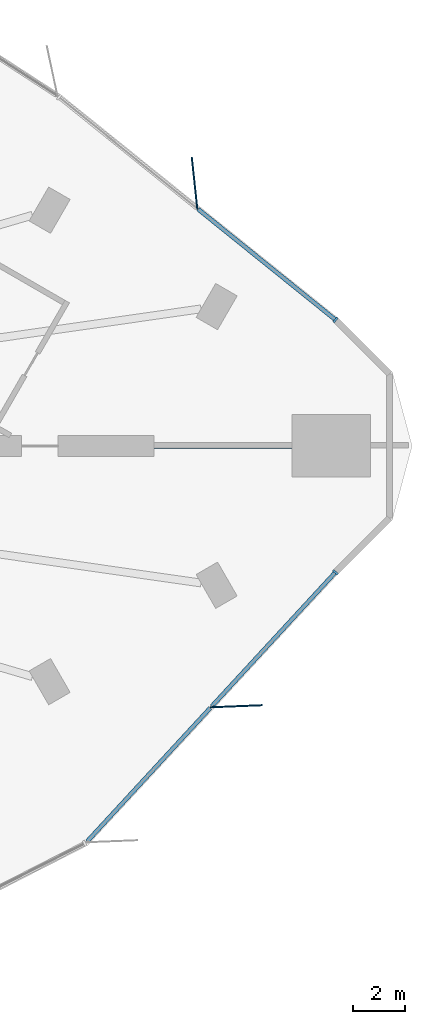
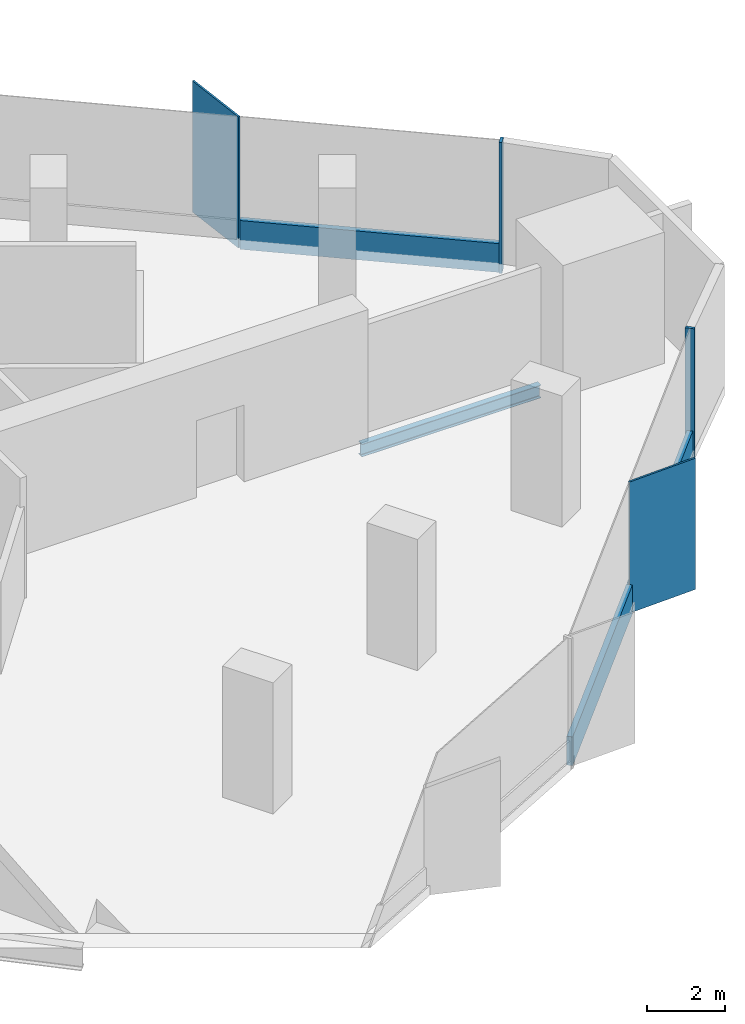
# One storey, part 6 of 14: 7 members, 1 beam, 2 elements without a shape of their own.
"""IFC4 building model written with IfcOpenShell, lengths in metres."""

from ifc_helpers import new_model, si_unit, direction, frame, origin, origin_2d, place, context, subcontext, project, spatial, rectangle, i_section, extrude, material, material_profile, profile_set, type_object, element, aggregate, save


model = new_model("IFC4")

# Units and contexts
model_context = context("Model", 3, precision=1e-05, world=origin(), true_north=direction((0.0, 1.0)))
body_context = subcontext(model_context, "Body", "Model", "MODEL_VIEW")
ifc_project = project(units=[si_unit("LENGTHUNIT", "METRE"), si_unit("AREAUNIT", "SQUARE_METRE"), si_unit("VOLUMEUNIT", "CUBIC_METRE"), si_unit("PLANEANGLEUNIT", "RADIAN"), si_unit("MASSUNIT", "GRAM", prefix="KILO")], contexts=[model_context])

# Site, building, storey
site_placement = place(None, origin())
site = spatial("IfcSite", under=ifc_project, at=site_placement, CompositionType="ELEMENT")
building_placement = place(site_placement, origin())
building = spatial("IfcBuilding", under=site, at=building_placement, Name="Tanit Gate Tower", CompositionType="ELEMENT")
storey_placement = place(building_placement, frame((0.0, 0.0, 78.300048828125)))
storey = spatial("IfcBuildingStorey", under=building, at=storey_placement, Name="L15", CompositionType="ELEMENT", Elevation=78.300048828125)

# Curtain wall, member
ifc_material_1 = material(Name="Aluminium bronze anodised and glass", Category="aluminium")
curtain_wall_type = type_object("IfcCurtainWallType", Name="Curtain wall typical low", PredefinedType="NOTDEFINED", material=ifc_material_1)
curtain_wall_1_placement = place(storey_placement, origin())
curtain_wall_1 = element("IfcCurtainWall", 1, at=curtain_wall_1_placement, inside=storey, type_object=curtain_wall_type, Name="Curtain wall L15 NE1", PredefinedType="NOTDEFINED")
ifc_material_2 = material(Name="Aluminium bronze anodised", Category="aluminium")
ifc_material_profile_1 = material_profile(ifc_material_2, rectangle(XDim=2.0, YDim=0.055908203125, at=origin_2d()), Name="56x2000 bronze fin mullion")
ifc_profile_set_1 = profile_set([ifc_material_profile_1], Name="Aluminium bronze anodised")
member_type_1 = type_object("IfcMemberType", Name="FIN MULLION 56x2000 bronze", PredefinedType="MULLION", material=ifc_profile_set_1)
member_1_placement = place(storey_placement, frame((36.37646484375, 10.07177734375, -0.300048828125), z_axis=(0.0, 0.0, 1.0), x_axis=(0.107016792677, -0.994257213243, 0.0)))
member_1 = element("IfcMember", 2, at=member_1_placement, type_object=member_type_1, Name="Fin mullion L15 NE1.2", PredefinedType="MULLION", context=body_context, shape_type="SweptSolid", body=[
    extrude(rectangle(XDim=2.0, YDim=0.055908203125, at=origin_2d()), origin(), (0.0, 0.0, 1.0), 4.10009765625),
])

curtain_wall_2_placement = place(storey_placement, origin())
curtain_wall_2 = element("IfcCurtainWall", 3, at=curtain_wall_2_placement, inside=storey, type_object=curtain_wall_type, Name="Curtain wall L15 SE3", PredefinedType="NOTDEFINED")
member_2_placement = place(storey_placement, frame((37.979736328125, -9.976806640625, -0.300048828125), z_axis=(0.0, 0.0, 1.0), x_axis=(-0.999188560879, -0.040276789942, 0.0)))
member_2 = element("IfcMember", 4, at=member_2_placement, type_object=member_type_1, Name="Fin mullion L15 SE3.2", PredefinedType="MULLION", context=body_context, shape_type="SweptSolid", body=[
    extrude(rectangle(XDim=2.0, YDim=0.055908203125, at=origin_2d()), origin(), (0.0, 0.0, 1.0), 4.10009765625),
])

# Member
ifc_material_3 = material(Name="Aluminium bronze anodised", Category="aluminium")
ifc_material_profile_2 = material_profile(ifc_material_3, rectangle(XDim=0.239990234375, YDim=0.080078125, at=origin_2d()), Name="80x240 bronze mullion")
ifc_profile_set_2 = profile_set([ifc_material_profile_2], Name="Aluminium bronze anodised")
member_type_2 = type_object("IfcMemberType", Name="Mullion 80x240 typical low", PredefinedType="MULLION", material=ifc_profile_set_2)
member_3_placement = place(storey_placement, frame((41.77685546875, 4.833251953125, -0.300048828125), z_axis=(0.0, 0.0, 1.0), x_axis=(-0.627373717925, -0.77871831753, 0.0)))
member_3 = element("IfcMember", 5, at=member_3_placement, type_object=member_type_2, Name="Mullion L15 NE1.1", PredefinedType="MULLION", context=body_context, shape_type="SweptSolid", body=[
    extrude(rectangle(XDim=0.239990234375, YDim=0.080078125, at=origin_2d()), origin(), (0.0, 0.0, 1.0), 4.10009765625),
])

member_4_placement = place(storey_placement, frame((41.774658203125, -4.843994140625, -0.300048828125), z_axis=(0.0, 0.0, 1.0), x_axis=(-0.735012998374, 0.678053015789, 0.0)))
member_4 = element("IfcMember", 6, at=member_4_placement, type_object=member_type_2, Name="Mullion L15 SE3.3", PredefinedType="MULLION", context=body_context, shape_type="SweptSolid", body=[
    extrude(rectangle(XDim=0.239990234375, YDim=0.080078125, at=origin_2d()), origin(), (0.0, 0.0, 1.0), 4.10009765625),
])

# Beam
ifc_material_4 = material(Name="Steel S355", Category="steel")
ifc_material_profile_3 = material_profile(ifc_material_4, i_section(OverallWidth=0.179931640625, OverallDepth=0.39990234375, WebThickness=0.008544921875, FlangeThickness=0.013427734375, FilletRadius=0.02099609375, at=origin_2d()), Name="IPE 400")
ifc_profile_set_3 = profile_set([ifc_material_profile_3], Name="Steel S355")
beam_type = type_object("IfcBeamType", Name="RADIAL GIRDER IPE 400 S355", PredefinedType="BEAM", material=ifc_profile_set_3)
beam_placement = place(storey_placement, frame((40.115966796875, 0.0, -0.5), z_axis=(-1.0, 0.0, 0.0), x_axis=(0.0, -1.0, 0.0)))
element("IfcBeam", 7, at=beam_placement, inside=storey, type_object=beam_type, Name="RADIAL GIRDER", PredefinedType="BEAM", context=body_context, shape_type="SweptSolid", body=[
    extrude(i_section(OverallWidth=0.179931640625, OverallDepth=0.39990234375, WebThickness=0.008544921875, FlangeThickness=0.013427734375, FilletRadius=0.02099609375, at=origin_2d()), origin(), (0.0, 0.0, 1.0), 5.29638671875),
])

# Member
ifc_material_5 = material(Name="Aluminium bronze anodised", Category="aluminium")
ifc_material_profile_4 = material_profile(ifc_material_5, rectangle(XDim=0.159912109375, YDim=0.89990234375, at=origin_2d()), Name="160x900 bronze transom")
ifc_profile_set_4 = profile_set([ifc_material_profile_4], Name="Aluminium bronze anodised")
member_type_3 = type_object("IfcMemberType", Name="Transom 160x900 typical low", PredefinedType="USERDEFINED", material=ifc_profile_set_4)
member_5_placement = place(storey_placement, frame((41.745849609375, 4.8583984375, 0.14990234375), z_axis=(-0.778712992198, 0.627380327856, 0.0), x_axis=(-0.627380327856, -0.778712992198, 0.0)))
member_5 = element("IfcMember", 8, at=member_5_placement, type_object=member_type_3, Name="Transom L15 NE1.1", ObjectType="TRANSOM", PredefinedType="USERDEFINED", context=body_context, shape_type="SweptSolid", body=[
    extrude(rectangle(XDim=0.159912109375, YDim=0.89990234375, at=origin_2d()), origin(), (0.0, 0.0, 1.0), 6.720947265625),
])

aggregate(curtain_wall_1, [member_3, member_1, member_5])

member_6_placement = place(storey_placement, frame((32.259033203125, -15.158935546875, 0.14990234375), z_axis=(0.678036655159, 0.735028090797, 0.0), x_axis=(-0.735028090797, 0.678036655159, 0.0)))
member_6 = element("IfcMember", 9, at=member_6_placement, type_object=member_type_3, Name="Transom L15 SE3.1", ObjectType="TRANSOM", PredefinedType="USERDEFINED", context=body_context, shape_type="SweptSolid", body=[
    extrude(rectangle(XDim=0.159912109375, YDim=0.89990234375, at=origin_2d()), origin(), (0.0, 0.0, 1.0), 6.95703125),
])

member_7_placement = place(storey_placement, frame((37.030517578125, -9.986572265625, 0.14990234375), z_axis=(0.67805414505, 0.735011956624, 0.0), x_axis=(-0.735011956624, 0.67805414505, 0.0)))
member_7 = element("IfcMember", 10, at=member_7_placement, type_object=member_type_3, Name="Transom L15 SE3.2", ObjectType="TRANSOM", PredefinedType="USERDEFINED", context=body_context, shape_type="SweptSolid", body=[
    extrude(rectangle(XDim=0.159912109375, YDim=0.89990234375, at=origin_2d()), origin(), (0.0, 0.0, 1.0), 6.956787109375),
])

aggregate(curtain_wall_2, [member_2, member_4, member_6, member_7])

save(model, "model.ifc")
